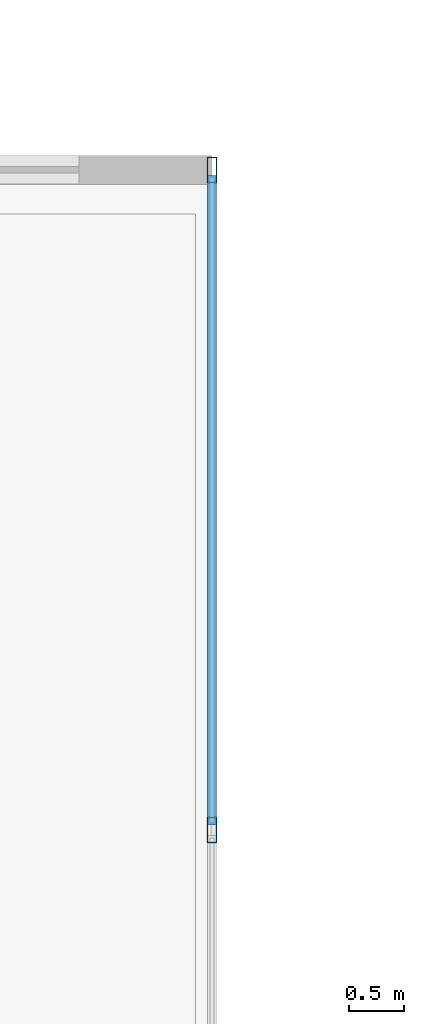
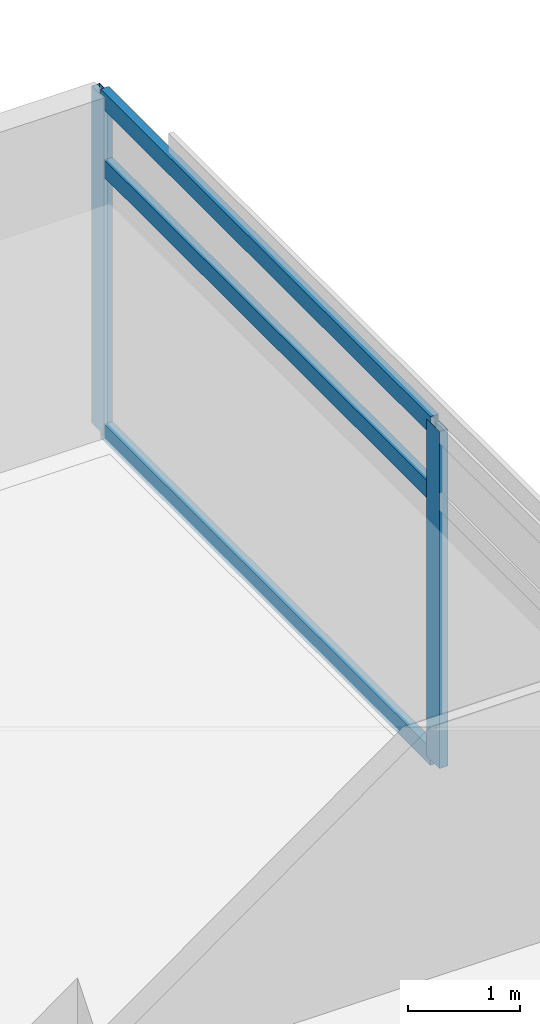
# One storey, part 9 of 18: 5 members, 1 element without a shape of its own.
"""IFC4 building model written with IfcOpenShell, lengths in metres."""

from ifc_helpers import new_model, si_unit, direction, frame, origin, origin_2d, place, context, subcontext, project, spatial, hollow_rectangle, extrude, material, material_profile, profile_set, type_object, element, aggregate, save


model = new_model("IFC4")

# Units and contexts
model_context = context("Model", 3, precision=1e-05, world=origin(), true_north=direction((0.0, 1.0)))
body_context = subcontext(model_context, "Body", "Model", "MODEL_VIEW")
ifc_project = project(units=[si_unit("LENGTHUNIT", "METRE"), si_unit("AREAUNIT", "SQUARE_METRE"), si_unit("VOLUMEUNIT", "CUBIC_METRE"), si_unit("PLANEANGLEUNIT", "RADIAN"), si_unit("MASSUNIT", "GRAM", prefix="KILO")], contexts=[model_context])

# Site, building, storey
site_placement = place(None, origin())
site = spatial("IfcSite", under=ifc_project, at=site_placement, CompositionType="ELEMENT")
building_placement = place(site_placement, origin())
building = spatial("IfcBuilding", under=site, at=building_placement, Name="Kovane Verandah Tower", CompositionType="ELEMENT")
storey_placement = place(building_placement, frame((0.0, 0.0, 338.800048828125)))
storey = spatial("IfcBuildingStorey", under=building, at=storey_placement, Name="L79", CompositionType="ELEMENT", Elevation=338.800048828125)

# Curtain wall, members
ifc_material_1 = material(Name="Champagne Anodised Aluminium Frame with Low-E Clear Laminated Glass", Category="aluminium")
curtain_wall_type = type_object("IfcCurtainWallType", Name="CW-SYS-05-HIGH", PredefinedType="NOTDEFINED", material=ifc_material_1)
curtain_wall_placement = place(storey_placement, origin())
curtain_wall = element("IfcCurtainWall", 1, at=curtain_wall_placement, inside=storey, type_object=curtain_wall_type, Name="L79 E Unitised Curtain Wall", PredefinedType="NOTDEFINED")
ifc_material_2 = material(Name="Champagne Anodised Aluminium 6063-T6", Category="aluminium")
ifc_material_profile_1 = material_profile(ifc_material_2, hollow_rectangle(XDim=0.0849609375, YDim=0.22998046875, WallThickness=0.00390625, at=origin_2d()), Name="AL85x230x4")
ifc_profile_set_1 = profile_set([ifc_material_profile_1], Name="Champagne Anodised Aluminium 6063-T6")
member_type_1 = type_object("IfcMemberType", Name="CW-MUL-85x230", PredefinedType="MULLION", material=ifc_profile_set_1)
member_1_placement = place(storey_placement, frame((64.0, 39.433349609375, 0.02001953125), z_axis=(0.0, 0.0, 1.0), x_axis=(1.0, 0.0, 0.0)))
member_1 = element("IfcMember", 2, at=member_1_placement, type_object=member_type_1, Name="L79 E Unitised Curtain Wall Mullion 6", PredefinedType="MULLION", context=body_context, shape_type="SweptSolid", body=[
    extrude(hollow_rectangle(XDim=0.0849609375, YDim=0.22998046875, WallThickness=0.00390625, at=origin_2d()), origin(), (0.0, 0.0, 1.0), 3.659912109375),
])
member_2_placement = place(storey_placement, frame((64.0, 45.39990234375, 0.02001953125), z_axis=(0.0, 0.0, 1.0), x_axis=(1.0, 0.0, 0.0)))
member_2 = element("IfcMember", 3, at=member_2_placement, type_object=member_type_1, Name="L79 E Unitised Curtain Wall Mullion 7", PredefinedType="MULLION", context=body_context, shape_type="SweptSolid", body=[
    extrude(hollow_rectangle(XDim=0.0849609375, YDim=0.22998046875, WallThickness=0.00390625, at=origin_2d()), origin(), (0.0, 0.0, 1.0), 3.659912109375),
])
ifc_material_profile_2 = material_profile(ifc_material_2, hollow_rectangle(XDim=0.0849609375, YDim=0.18994140625, WallThickness=0.00390625, at=origin_2d()), Name="AL85x190x4")
ifc_profile_set_2 = profile_set([ifc_material_profile_2], Name="Champagne Anodised Aluminium 6063-T6")
member_type_2 = type_object("IfcMemberType", Name="CW-TRN-85x190", PredefinedType="USERDEFINED", material=ifc_profile_set_2)
member_3_placement = place(storey_placement, frame((64.0, 39.4833984375, 0.050048828125), z_axis=(0.0, 1.0, 0.0), x_axis=(-1.0, 0.0, 0.0)))
member_3 = element("IfcMember", 4, at=member_3_placement, type_object=member_type_2, Name="L79 E Unitised Curtain Wall Transom TB Bay 6", ObjectType="TRANSOM", PredefinedType="USERDEFINED", context=body_context, shape_type="SweptSolid", body=[
    extrude(hollow_rectangle(XDim=0.0849609375, YDim=0.18994140625, WallThickness=0.00390625, at=origin_2d()), origin(), (0.0, 0.0, 1.0), 5.86669921875),
])
member_4_placement = place(storey_placement, frame((64.0, 39.4833984375, 2.919921875), z_axis=(0.0, 1.0, 0.0), x_axis=(-1.0, 0.0, 0.0)))
member_4 = element("IfcMember", 5, at=member_4_placement, type_object=member_type_2, Name="L79 E Unitised Curtain Wall Transom TM Bay 6", ObjectType="TRANSOM", PredefinedType="USERDEFINED", context=body_context, shape_type="SweptSolid", body=[
    extrude(hollow_rectangle(XDim=0.0849609375, YDim=0.18994140625, WallThickness=0.00390625, at=origin_2d()), origin(), (0.0, 0.0, 1.0), 5.86669921875),
])
member_5_placement = place(storey_placement, frame((64.0, 39.4833984375, 3.64990234375), z_axis=(0.0, 1.0, 0.0), x_axis=(-1.0, 0.0, 0.0)))
member_5 = element("IfcMember", 6, at=member_5_placement, type_object=member_type_2, Name="L79 E Unitised Curtain Wall Transom TT Bay 6", ObjectType="TRANSOM", PredefinedType="USERDEFINED", context=body_context, shape_type="SweptSolid", body=[
    extrude(hollow_rectangle(XDim=0.0849609375, YDim=0.18994140625, WallThickness=0.00390625, at=origin_2d()), origin(), (0.0, 0.0, 1.0), 5.86669921875),
])
aggregate(curtain_wall, [member_1, member_2, member_3, member_4, member_5])

save(model, "model.ifc")
